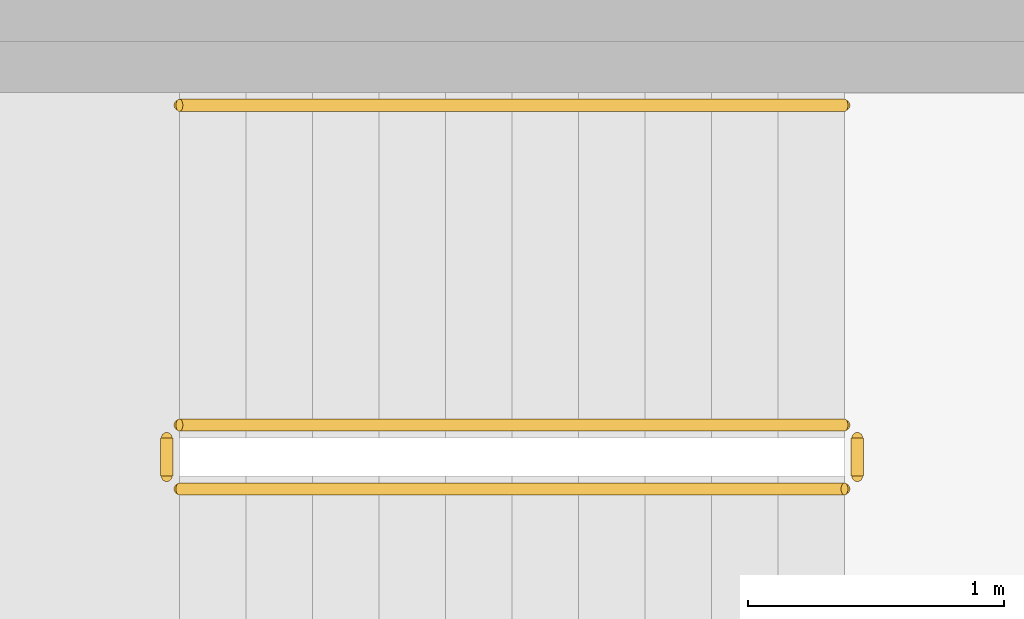
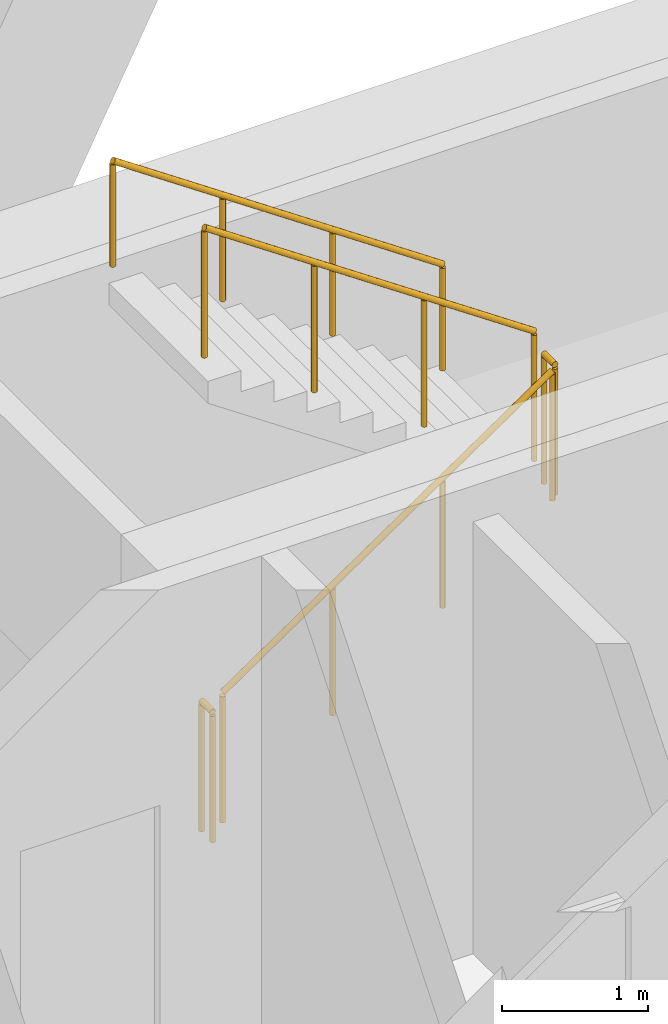
# One storey, part 10 of 10: 5 railings.
"""IFC4 building model written with IfcOpenShell, lengths in metres."""

from ifc_helpers import new_model, si_unit, direction, frame, origin, origin_2d, place, context, subcontext, project, spatial, circle, extrude, material, type_object, element, save


model = new_model("IFC4")

# Units and contexts
model_context = context("Model", 3, precision=1e-05, world=origin(), true_north=direction((0.0, 1.0)))
body_context = subcontext(model_context, "Body", "Model", "MODEL_VIEW")
ifc_project = project(units=[si_unit("LENGTHUNIT", "METRE"), si_unit("AREAUNIT", "SQUARE_METRE"), si_unit("VOLUMEUNIT", "CUBIC_METRE"), si_unit("PLANEANGLEUNIT", "RADIAN"), si_unit("MASSUNIT", "GRAM", prefix="KILO")], contexts=[model_context])

# Site, building, storey
site_placement = place(None, origin())
site = spatial("IfcSite", under=ifc_project, at=site_placement, CompositionType="ELEMENT")
building_placement = place(site_placement, origin())
building = spatial("IfcBuilding", under=site, at=building_placement, Name="White Candle Pilgrim Tower", CompositionType="ELEMENT")
storey_placement = place(building_placement, frame((0.0, 0.0, 248.300048828125)))
storey = spatial("IfcBuildingStorey", under=building, at=storey_placement, Name="L58", CompositionType="ELEMENT", Elevation=248.300048828125)

# Railings
ifc_material = material(Name="Stainless steel", Category="steel")
railing_type_1 = type_object("IfcRailingType", Name="Stair guard stainless steel 1100 mm", PredefinedType="GUARDRAIL", material=ifc_material)
railing_1_placement = place(storey_placement, frame((69.39990234375, 85.550048828125, 0.17724609375)))
element("IfcRailing", 1, at=railing_1_placement, inside=storey, type_object=railing_type_1, Name="L58 ST3 stair guard 1", PredefinedType="GUARDRAIL", context=body_context, shape_type="SweptSolid", body=[
    extrude(circle(Radius=0.02392578125, at=origin_2d()), frame((0.0, 0.0, 1.076171875), z_axis=(0.826240473404, 0.0, 0.563317565952), x_axis=(0.0, 1.0, 0.0)), (0.0, 0.0, 1.0), 3.14697265625),
    extrude(circle(Radius=0.02099609375, at=origin_2d()), origin(), (0.0, 0.0, 1.0), 1.052001953125),
    extrude(circle(Radius=0.02099609375, at=origin_2d()), frame((0.86669921875, 0.0, 0.5908203125)), (0.0, 0.0, 1.0), 1.052001953125),
    extrude(circle(Radius=0.02099609375, at=origin_2d()), frame((1.7333984375, 0.0, 1.181884765625)), (0.0, 0.0, 1.0), 1.052001953125),
    extrude(circle(Radius=0.02099609375, at=origin_2d()), frame((2.60009765625, 0.0, 1.772705078125)), (0.0, 0.0, 1.0), 1.052001953125),
])
railing_2_placement = place(storey_placement, frame((72.050048828125, 85.60009765625, 1.949951171875)))
element("IfcRailing", 2, at=railing_2_placement, inside=storey, type_object=railing_type_1, Name="L58 ST3 stair guard 2", PredefinedType="GUARDRAIL", context=body_context, shape_type="SweptSolid", body=[
    extrude(circle(Radius=0.02392578125, at=origin_2d()), frame((0.0, 0.0, 1.076171875), z_axis=(0.0, 1.0, 0.0), x_axis=(-1.0, 0.0, 0.0)), (0.0, 0.0, 1.0), 0.14990234375),
    extrude(circle(Radius=0.02099609375, at=origin_2d()), origin(), (0.0, 0.0, 1.0), 1.052001953125),
    extrude(circle(Radius=0.02099609375, at=origin_2d()), frame((0.0, 0.14990234375, 0.0)), (0.0, 0.0, 1.0), 1.052001953125),
])
railing_3_placement = place(storey_placement, frame((72.0, 85.800048828125, 2.127197265625)))
element("IfcRailing", 3, at=railing_3_placement, inside=storey, type_object=railing_type_1, Name="L58 ST3 stair guard 3", PredefinedType="GUARDRAIL", context=body_context, shape_type="SweptSolid", body=[
    extrude(circle(Radius=0.02392578125, at=origin_2d()), frame((0.0, 0.0, 1.076171875), z_axis=(-0.826240473404, 0.0, 0.563317565952), x_axis=(0.0, -1.0, 0.0)), (0.0, 0.0, 1.0), 3.14697265625),
    extrude(circle(Radius=0.02099609375, at=origin_2d()), origin(), (0.0, 0.0, 1.0), 1.052001953125),
    extrude(circle(Radius=0.02099609375, at=origin_2d()), frame((-0.86669921875, 0.0, 0.5908203125)), (0.0, 0.0, 1.0), 1.052001953125),
    extrude(circle(Radius=0.02099609375, at=origin_2d()), frame((-1.7333984375, 0.0, 1.181884765625)), (0.0, 0.0, 1.0), 1.052001953125),
    extrude(circle(Radius=0.02099609375, at=origin_2d()), frame((-2.60009765625, 0.0, 1.772705078125)), (0.0, 0.0, 1.0), 1.052001953125),
])
railing_4_placement = place(storey_placement, frame((69.35009765625, 85.60009765625, 0.0)))
element("IfcRailing", 4, at=railing_4_placement, inside=storey, type_object=railing_type_1, Name="L58 ST3 stair guard 4", PredefinedType="GUARDRAIL", context=body_context, shape_type="SweptSolid", body=[
    extrude(circle(Radius=0.02392578125, at=origin_2d()), frame((0.0, 0.0, 1.076171875), z_axis=(0.0, 1.0, 0.0), x_axis=(-1.0, 0.0, 0.0)), (0.0, 0.0, 1.0), 0.14990234375),
    extrude(circle(Radius=0.02099609375, at=origin_2d()), origin(), (0.0, 0.0, 1.0), 1.052001953125),
    extrude(circle(Radius=0.02099609375, at=origin_2d()), frame((0.0, 0.14990234375, 0.0)), (0.0, 0.0, 1.0), 1.052001953125),
])
railing_type_2 = type_object("IfcRailingType", Name="Stair handrail stainless steel", PredefinedType="HANDRAIL", material=ifc_material)
railing_5_placement = place(storey_placement, frame((72.0, 87.050048828125, 2.127197265625)))
element("IfcRailing", 5, at=railing_5_placement, inside=storey, type_object=railing_type_2, Name="L58 ST3 stair handrail 2", PredefinedType="HANDRAIL", context=body_context, shape_type="SweptSolid", body=[
    extrude(circle(Radius=0.02392578125, at=origin_2d()), frame((0.0, 0.0, 0.8759765625), z_axis=(-0.826240473404, 0.0, 0.563317565952), x_axis=(0.0, -1.0, 0.0)), (0.0, 0.0, 1.0), 3.14697265625),
    extrude(circle(Radius=0.02099609375, at=origin_2d()), origin(), (0.0, 0.0, 1.0), 0.851806640625),
    extrude(circle(Radius=0.02099609375, at=origin_2d()), frame((-0.86669921875, 0.0, 0.5908203125)), (0.0, 0.0, 1.0), 0.851806640625),
    extrude(circle(Radius=0.02099609375, at=origin_2d()), frame((-1.7333984375, 0.0, 1.181884765625)), (0.0, 0.0, 1.0), 0.851806640625),
    extrude(circle(Radius=0.02099609375, at=origin_2d()), frame((-2.60009765625, 0.0, 1.772705078125)), (0.0, 0.0, 1.0), 0.851806640625),
])

save(model, "model.ifc")
